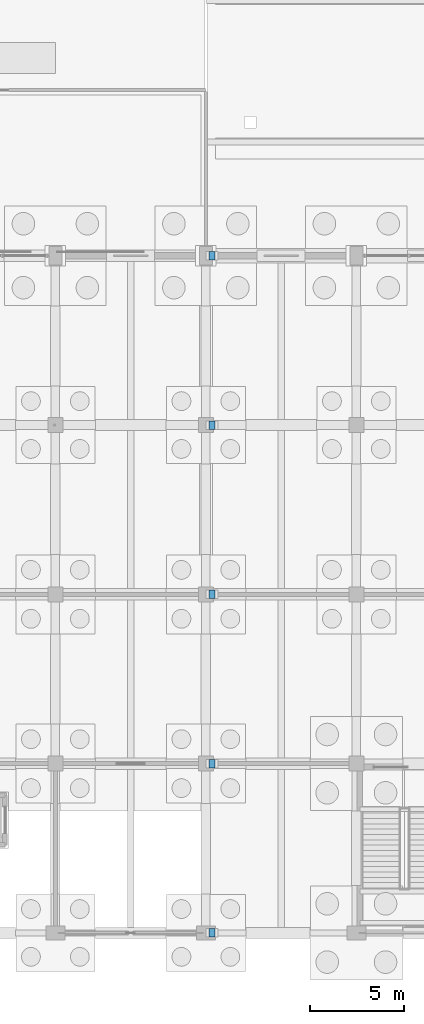
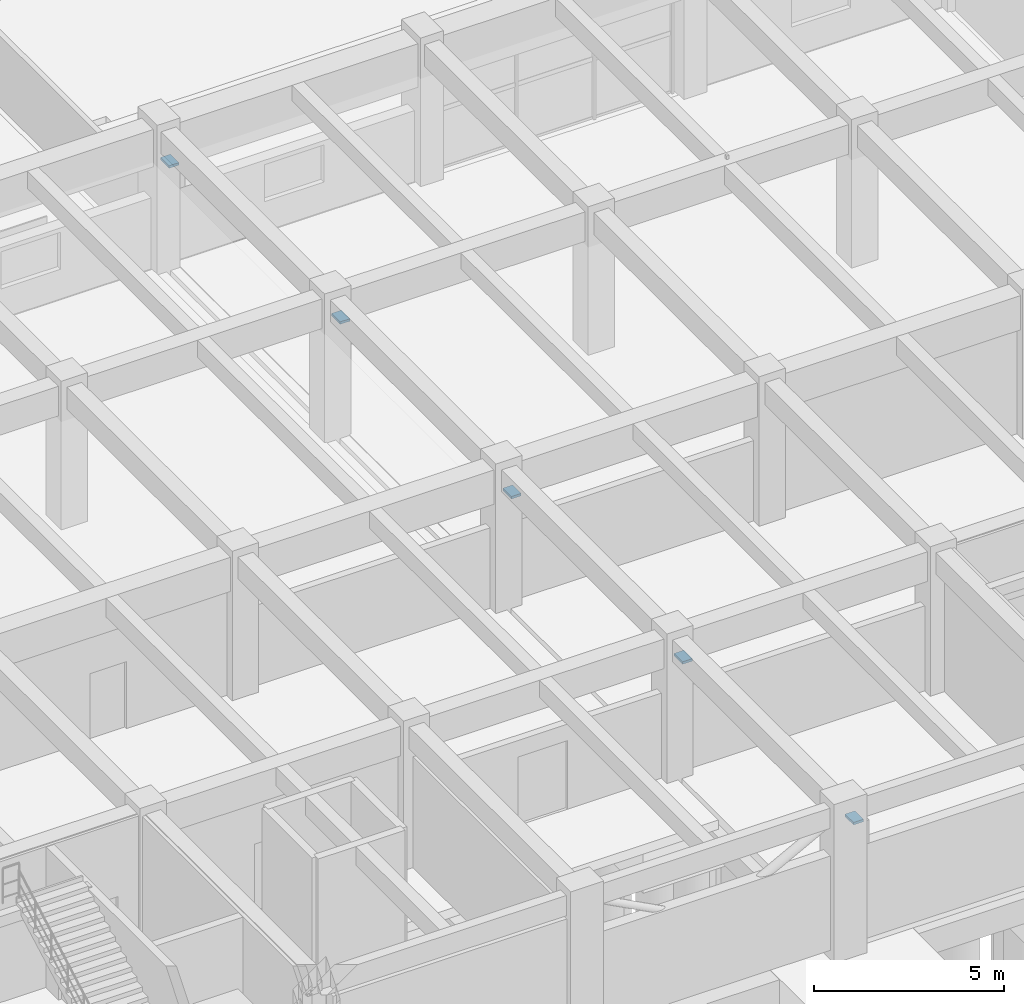
# One storey, part 129 of 147: 5 discrete accessories.
"""IFC4 building model written with IfcOpenShell, lengths in metres."""

from ifc_helpers import new_model, si_unit, direction, frame, origin, origin_2d, place, context, subcontext, project, spatial, rectangle, extrude, material, layer, layer_set, type_object, element, save


model = new_model("IFC4")

# Units and contexts
model_context = context("Model", 3, precision=1e-05, world=origin(), true_north=direction((0.0, 1.0)))
body_context = subcontext(model_context, "Body", "Model", "MODEL_VIEW")
ifc_project = project(units=[si_unit("LENGTHUNIT", "METRE"), si_unit("AREAUNIT", "SQUARE_METRE"), si_unit("VOLUMEUNIT", "CUBIC_METRE"), si_unit("PLANEANGLEUNIT", "RADIAN"), si_unit("MASSUNIT", "GRAM", prefix="KILO")], contexts=[model_context])

# Site, building, storey
site_placement = place(None, origin())
site = spatial("IfcSite", under=ifc_project, at=site_placement, CompositionType="ELEMENT")
building_placement = place(site_placement, origin())
building = spatial("IfcBuilding", under=site, at=building_placement, Name="Varnabhumi Central Station", CompositionType="ELEMENT")
storey_placement = place(building_placement, origin())
storey = spatial("IfcBuildingStorey", under=building, at=storey_placement, Name="L00", CompositionType="ELEMENT", Elevation=0.0)

# Discrete accessories
ifc_material = material(Name="Structural steel E350", Category="steel")
ifc_layer = layer(ifc_material, 0.080078125, Name="Structural steel E350", Category="steel")
ifc_layer_set = layer_set([ifc_layer], Name="Structural steel E350")
discrete_accessory_type = type_object("IfcDiscreteAccessoryType", Name="ACC-BEARING-SHOE", PredefinedType="SHOE", material=ifc_layer_set)
for number, where, z_axis, x_axis, name in (
    (1, (64.324951171875, 0.0, 3.820068359375), (0.0, 0.0, 1.0), (1.0, 0.0, 0.0), "Movement Joint Bearing L00-A-9"),
    (2, (64.324951171875, 9.0, 3.52001953125), (0.0, 0.0, 1.0), (1.0, 0.0, 0.0), "Movement Joint Bearing L00-B-9"),
    (3, (64.324951171875, 18.0, 3.369873046875), (0.0, 0.0, 1.0), (1.0, 0.0, 0.0), "Movement Joint Bearing L00-C-9"),
    (4, (64.324951171875, 27.0, 3.52001953125), (0.0, 0.0, 1.0), (1.0, 0.0, 0.0), "Movement Joint Bearing L00-D-9"),
    (5, (64.324951171875, 36.0, 3.070068359375), (0.0, 0.0, 1.0), (1.0, 0.0, 0.0), "Movement Joint Bearing L00-E-9"),
):
    element("IfcDiscreteAccessory", number, at=place(storey_placement, frame(where, z_axis=z_axis, x_axis=x_axis)), inside=storey, type_object=discrete_accessory_type, Name=name, PredefinedType="SHOE", context=body_context, shape_type="SweptSolid", body=[
        extrude(rectangle(XDim=0.300048828125, YDim=0.449951171875, at=origin_2d()), origin(), (0.0, 0.0, 1.0), 0.080078125),
    ])

save(model, "model.ifc")
